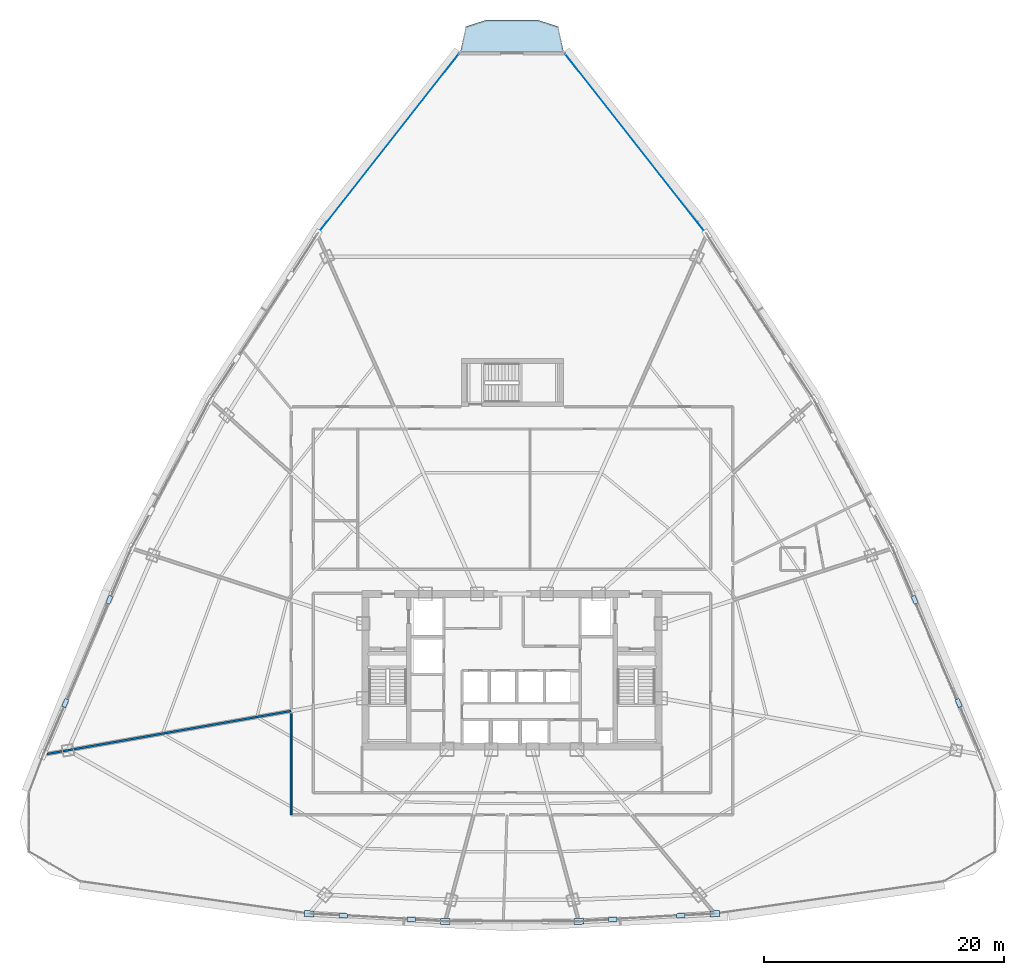
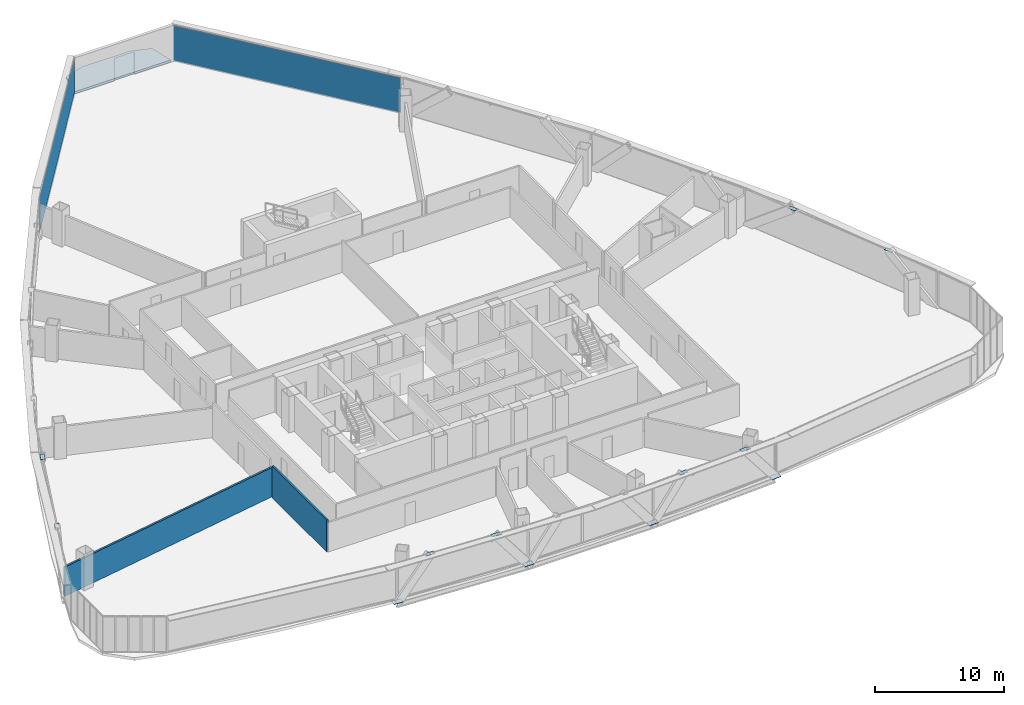
# One storey, part 34 of 42: 14 plates, 2 walls, 1 slab, 2 elements without a shape of their own.
"""IFC4 building model written with IfcOpenShell, lengths in metres."""

from ifc_helpers import new_model, si_unit, direction, frame, frame_2d, origin, origin_2d, place, context, subcontext, project, spatial, polyline, rectangle, outline, extrude, source, transform, mapped, material, layer, layer_set, type_object, element, aggregate, save


model = new_model("IFC4")

# Units and contexts
model_context = context("Model", 3, precision=1e-05, world=origin(), true_north=direction((0.0, 1.0)))
body_context = subcontext(model_context, "Body", "Model", "MODEL_VIEW")
ifc_project = project(units=[si_unit("LENGTHUNIT", "METRE"), si_unit("AREAUNIT", "SQUARE_METRE"), si_unit("VOLUMEUNIT", "CUBIC_METRE"), si_unit("PLANEANGLEUNIT", "RADIAN"), si_unit("MASSUNIT", "GRAM", prefix="KILO"), si_unit("THERMODYNAMICTEMPERATUREUNIT", "KELVIN"), si_unit("POWERUNIT", "WATT")], contexts=[model_context])

# Site, building, storey
site_placement = place(None, origin())
site = spatial("IfcSite", under=ifc_project, at=site_placement, CompositionType="ELEMENT")
building_placement = place(site_placement, origin())
building = spatial("IfcBuilding", under=site, at=building_placement, Name="Yunzhuo Pagoda Commons", CompositionType="ELEMENT")
storey_placement = place(building_placement, frame((0.0, 0.0, 129.830078125)))
storey = spatial("IfcBuildingStorey", under=building, at=storey_placement, Name="L32", CompositionType="ELEMENT", Elevation=129.830078125)

# Slab
ifc_material_1 = material(Name="Concrete C40", Category="concrete")
ifc_layer_1 = layer(ifc_material_1, 0.199951171875)
ifc_layer_set_1 = layer_set([ifc_layer_1], Name="Concrete C40")
slab_type = type_object("IfcSlabType", Name="SL-BAL Vertex Balcony Deck Slab 200", PredefinedType="FLOOR", material=ifc_layer_set_1)
slab_placement = place(storey_placement, frame((0.0, 0.0, -0.2001953125)))
element("IfcSlab", 1, at=slab_placement, inside=storey, type_object=slab_type, Name="L32 corner balcony V3", PredefinedType="FLOOR", context=body_context, shape_type="SweptSolid", body=[
    extrude(outline(polyline([(52.30126953125, 85.37841796875), (43.69873046875, 85.37841796875), (44.148681640625, 87.473388671875), (45.849365234375, 88.0234375), (50.150634765625, 88.0234375), (51.851318359375, 87.473388671875), (52.30126953125, 85.37841796875)])), origin(), (0.0, 0.0, 1.0), 0.2001953125),
])

# Plates
ifc_material_2 = material(Name="Structural steel Q355B", Category="steel")
ifc_layer_2 = layer(ifc_material_2, 0.028076171875)
ifc_layer_set_2 = layer_set([ifc_layer_2], Name="Structural steel Q355B")
plate_type_1 = type_object("IfcPlateType", Name="SP-ND1 Lattice Node Cap Plate 800x500x28", PredefinedType="USERDEFINED", material=ifc_layer_set_2)
shared_shape_1 = source(origin(), body_context, "Body", "SweptSolid", [
    extrude(rectangle(XDim=0.800048828125, YDim=0.5, at=origin_2d()), origin(), (0.0, 0.0, 1.0), 0.028076171875),
])
for number, where, z_axis, x_axis, name in (
    (2, (31.101806640625, 13.561279296875, -0.27392578125), (0.0, 0.0, 1.0), (0.998388700761, -0.056745063151, 0.0), "L32 diamond node plate F1.1A"),
    (3, (42.431396484375, 12.91748046875, -0.27392578125), (0.0, 0.0, 1.0), (1.0, 0.0, 0.0), "L32 diamond node plate F1.2A"),
    (4, (53.568603515625, 12.91748046875, -0.27392578125), (0.0, 0.0, 1.0), (0.998388700761, 0.056745063151, 0.0), "L32 diamond node plate F1.3A"),
    (5, (64.898193359375, 13.561279296875, -0.27392578125), (0.0, 0.0, 1.0), (0.998388700761, 0.056745063151, 0.0), "L32 diamond node plate F1.3B"),
):
    element("IfcPlate", number, at=place(storey_placement, frame(where, z_axis=z_axis, x_axis=x_axis)), inside=storey, type_object=plate_type_1, Name=name, ObjectType="STIFFENER_PLATE", PredefinedType="USERDEFINED", context=body_context, shape_type="MappedRepresentation", body=[
        mapped(shared_shape_1, transform((0.0, 0.0, 0.0), scale=1.0)),
    ])
shared_shape_2 = source(origin(), body_context, "Body", "SweptSolid", [
    extrude(rectangle(XDim=0.699951171875, YDim=0.35009765625, at=origin_2d()), origin(), (0.0, 0.0, 1.0), 0.035888671875),
])
for number, where, z_axis, x_axis, name in (
    (6, (33.93408203125, 13.400390625, 3.3818359375), (0.0, 0.0, 1.0), (0.998388700761, -0.056745063151, 0.0), "L32 setback lattice tie plate F1.1L"),
    (7, (39.598876953125, 13.07861328125, 3.3818359375), (0.0, 0.0, 1.0), (0.998388700761, -0.056745063151, 0.0), "L32 setback lattice tie plate F1.1R"),
    (8, (56.401123046875, 13.07861328125, 3.3818359375), (0.0, 0.0, 1.0), (0.998388700761, 0.056745063151, 0.0), "L32 setback lattice tie plate F1.3L"),
    (9, (62.06591796875, 13.400390625, 3.3818359375), (0.0, 0.0, 1.0), (0.998388700761, 0.056745063151, 0.0), "L32 setback lattice tie plate F1.3R"),
    (10, (85.216064453125, 31.11279296875, 3.3818359375), (0.0, 0.0, 1.0), (-0.392080238691, 0.919931022647, 0.0), "L32 setback lattice tie plate F2.1L"),
    (11, (81.552490234375, 39.70849609375, 3.3818359375), (0.0, 0.0, 1.0), (-0.392080238691, 0.919931022647, 0.0), "L32 setback lattice tie plate F2.1R"),
    (12, (14.447509765625, 39.70849609375, 3.3818359375), (0.0, 0.0, 1.0), (-0.392080238691, -0.919931022647, 0.0), "L32 setback lattice tie plate F3.3L"),
    (13, (10.783935546875, 31.11279296875, 3.3818359375), (0.0, 0.0, 1.0), (-0.392080238691, -0.919931022647, 0.0), "L32 setback lattice tie plate F3.3R"),
):
    element("IfcPlate", number, at=place(storey_placement, frame(where, z_axis=z_axis, x_axis=x_axis)), inside=storey, type_object=plate_type_1, Name=name, ObjectType="STIFFENER_PLATE", PredefinedType="USERDEFINED", context=body_context, shape_type="MappedRepresentation", body=[
        mapped(shared_shape_2, transform((0.0, 0.0, 0.0), scale=1.0)),
    ])

# Curtain wall, plate
ifc_material_3 = material(Name="Anodized aluminium 6063-T6", Category="aluminium")
ifc_layer_3 = layer(ifc_material_3, 0.14990234375)
ifc_layer_set_3 = layer_set([ifc_layer_3], Name="Anodized aluminium 6063-T6")
curtain_wall_type = type_object("IfcCurtainWallType", Name="CW-MID Mid-Zone Ribbon Curtain Wall", PredefinedType="NOTDEFINED", material=ifc_layer_set_3)
curtain_wall_1_placement = place(storey_placement, origin())
curtain_wall_1 = element("IfcCurtainWall", 14, at=curtain_wall_1_placement, inside=storey, type_object=curtain_wall_type, Name="L32 curtain wall CW-L32-F2B5", PredefinedType="NOTDEFINED")
ifc_material_4 = material(Name="Tempered low-e double glazing", Category="glass")
ifc_layer_4 = layer(ifc_material_4, 0.028076171875)
ifc_layer_set_4 = layer_set([ifc_layer_4], Name="Tempered low-e double glazing")
plate_type_2 = type_object("IfcPlateType", Name="CW-MID-P Low-E Double Glazing 28", PredefinedType="CURTAIN_PANEL", material=ifc_layer_set_4)
shared_shape_3 = source(origin(), body_context, "Body", "SweptSolid", [
    extrude(rectangle(XDim=18.9765625, YDim=0.028076171875, at=origin_2d()), origin(), (0.0, 0.0, 1.0), 3.31005859375),
])
plate_1_placement = place(storey_placement, frame((58.292236328125, 77.733154296875, 0.054931640625), z_axis=(0.0, 0.0, 1.0), x_axis=(-0.617499113588, 0.786571576347, 0.0)))
plate_1 = element("IfcPlate", 15, at=plate_1_placement, type_object=plate_type_2, Name="CW panel 1.1", PredefinedType="CURTAIN_PANEL", context=body_context, shape_type="MappedRepresentation", body=[
    mapped(shared_shape_3, transform((0.0, 0.0, 0.0), scale=1.0)),
])
aggregate(curtain_wall_1, [plate_1])

curtain_wall_2_placement = place(storey_placement, origin())
curtain_wall_2 = element("IfcCurtainWall", 16, at=curtain_wall_2_placement, inside=storey, type_object=curtain_wall_type, Name="L32 curtain wall CW-L32-F3B1", PredefinedType="NOTDEFINED")
plate_2_placement = place(storey_placement, frame((37.707763671875, 77.733154296875, 0.054931640625), z_axis=(0.0, 0.0, 1.0), x_axis=(-0.617499113588, -0.786571576347, 0.0)))
plate_2 = element("IfcPlate", 17, at=plate_2_placement, type_object=plate_type_2, Name="CW panel 1.1", PredefinedType="CURTAIN_PANEL", context=body_context, shape_type="MappedRepresentation", body=[
    mapped(shared_shape_3, transform((0.0, 0.0, 0.0), scale=1.0)),
])
aggregate(curtain_wall_2, [plate_2])

# Walls
ifc_material_5 = material(Name="Gypsum plasterboard on acoustic stud")
ifc_layer_5 = layer(ifc_material_5, 0.155029296875)
ifc_layer_set_5 = layer_set([ifc_layer_5], Name="Gypsum plasterboard on acoustic stud")
wall_type_1 = type_object("IfcWallType", Name="W-COR2 Mid-Zone Rated Corridor Wall 155", PredefinedType="PARTITIONING", material=ifc_layer_set_5)
wall_1_placement = place(storey_placement, frame((29.60009765625, 21.800048828125, 0.0), z_axis=(0.0, 0.0, 1.0), x_axis=(0.0, 1.0, 0.0)))
element("IfcWall", 18, at=wall_1_placement, inside=storey, type_object=wall_type_1, Name="L32 interior wall IW-L32-CWL01", PredefinedType="PARTITIONING", context=body_context, shape_type="SweptSolid", body=[
    extrude(rectangle(XDim=8.43212890625, YDim=0.155029296875, at=frame_2d((4.216064453125, 0.0))), origin(), (0.0, 0.0, 1.0), 3.02001953125),
])
ifc_layer_6 = layer(ifc_material_5, 0.175048828125)
ifc_layer_set_6 = layer_set([ifc_layer_6], Name="Gypsum plasterboard on acoustic stud")
wall_type_2 = type_object("IfcWallType", Name="W-PRT3 Mid-Zone Demising Wall 175", PredefinedType="PARTITIONING", material=ifc_layer_set_6)
wall_2_placement = place(storey_placement, frame((29.60009765625, 30.45556640625, 0.0), z_axis=(0.0, 0.0, 1.0), x_axis=(-0.98480711194, -0.173651813328, 0.0)))
element("IfcWall", 19, at=wall_2_placement, inside=storey, type_object=wall_type_2, Name="L32 interior wall IW-L32-RAD09", PredefinedType="PARTITIONING", context=body_context, shape_type="SweptSolid", body=[
    extrude(rectangle(XDim=20.966552734375, YDim=0.175048828125, at=frame_2d((10.4833984375, 0.0))), origin(), (0.0, 0.0, 1.0), 2.77001953125),
])

save(model, "model.ifc")
